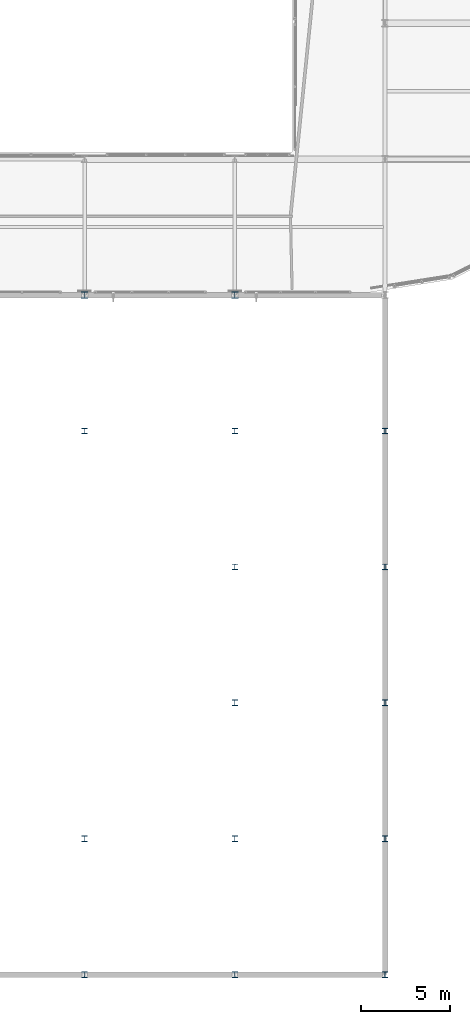
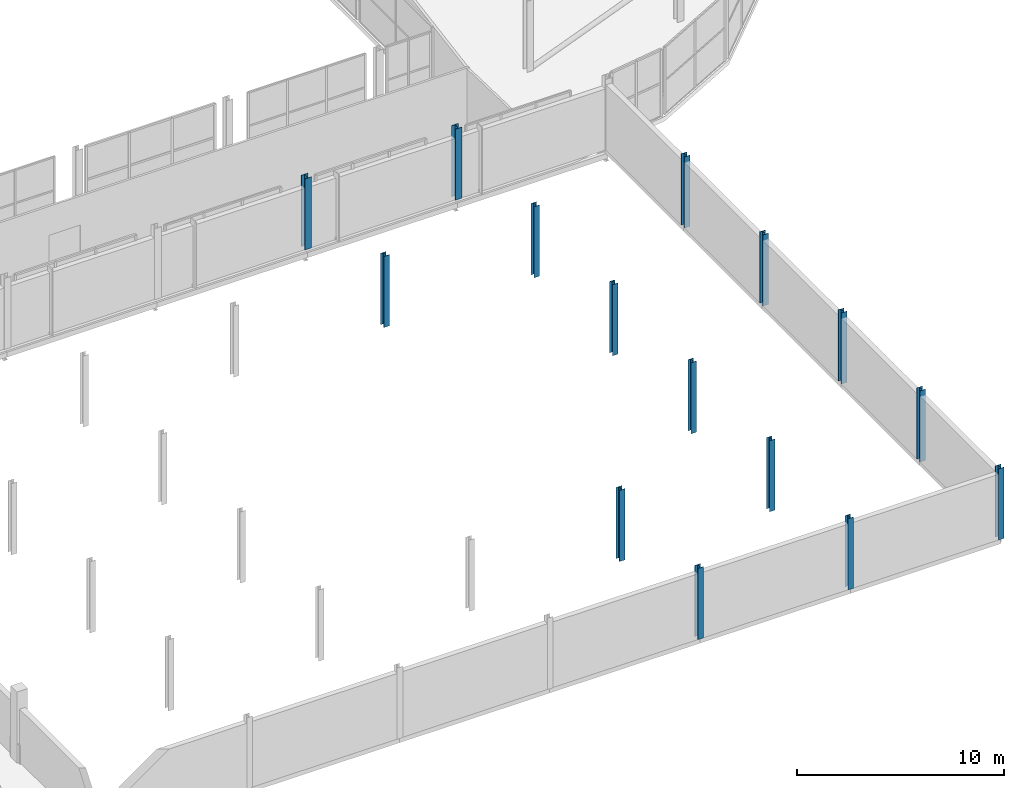
# One storey, part 11 of 217: 15 columns.
"""IFC4 building model written with IfcOpenShell, lengths in metres."""

from ifc_helpers import new_model, si_unit, direction, frame, origin, origin_2d, place, context, subcontext, project, spatial, i_section, extrude, material, material_profile, profile_set, type_object, element, save


model = new_model("IFC4")

# Units and contexts
model_context = context("Model", 3, precision=1e-05, world=origin(), true_north=direction((0.0, 1.0)))
body_context = subcontext(model_context, "Body", "Model", "MODEL_VIEW")
ifc_project = project(units=[si_unit("LENGTHUNIT", "METRE"), si_unit("AREAUNIT", "SQUARE_METRE"), si_unit("VOLUMEUNIT", "CUBIC_METRE"), si_unit("PLANEANGLEUNIT", "RADIAN"), si_unit("MASSUNIT", "GRAM", prefix="KILO")], contexts=[model_context])

# Site, building, storey
site_placement = place(None, origin())
site = spatial("IfcSite", under=ifc_project, at=site_placement, CompositionType="ELEMENT")
building_placement = place(site_placement, origin())
building = spatial("IfcBuilding", under=site, at=building_placement, Name="Zuvorla Pavilion Media Centre", CompositionType="ELEMENT")
storey_placement = place(building_placement, frame((0.0, 0.0, 9.60009765625)))
storey = spatial("IfcBuildingStorey", under=building, at=storey_placement, Name="L02", CompositionType="ELEMENT", Elevation=9.60009765625)

# Columns
ifc_material = material(Name="Steel S355", Category="steel")
ifc_material_profile_1 = material_profile(ifc_material, i_section(OverallWidth=0.30908203125, OverallDepth=0.320556640625, WebThickness=0.013916015625, FlangeThickness=0.021728515625, FilletRadius=0.01513671875, at=origin_2d()), Name="UC 305x305x137")
ifc_profile_set_1 = profile_set([ifc_material_profile_1], Name="Steel S355")
column_type_1 = type_object("IfcColumnType", Name="COL-UC305", PredefinedType="COLUMN", material=ifc_profile_set_1)
for number, where, z_axis, x_axis, name in (
    (1, (142.39990234375, 6.0, 0.0), (0.0, 0.0, 1.0), (1.0, 0.0, 0.0), "L02 column C10 83"),
    (2, (150.800048828125, 6.0, 0.0), (0.0, 0.0, 1.0), (1.0, 0.0, 0.0), "L02 column C10 88"),
    (3, (159.199951171875, 6.0, 0.0), (0.0, 0.0, 1.0), (1.0, 0.0, 0.0), "L02 column C10 93"),
    (4, (142.39990234375, 13.60009765625, 0.0), (0.0, 0.0, 1.0), (1.0, 0.0, 0.0), "L02 column C10 181"),
    (5, (150.800048828125, 13.60009765625, 0.0), (0.0, 0.0, 1.0), (1.0, 0.0, 0.0), "L02 column C10 186"),
    (6, (159.199951171875, 13.60009765625, 0.0), (0.0, 0.0, 1.0), (1.0, 0.0, 0.0), "L02 column C10 191"),
    (7, (150.800048828125, 21.199951171875, 0.0), (0.0, 0.0, 1.0), (1.0, 0.0, 0.0), "L02 column C10 277"),
    (8, (159.199951171875, 21.199951171875, 0.0), (0.0, 0.0, 1.0), (1.0, 0.0, 0.0), "L02 column C10 282"),
    (9, (150.800048828125, 28.800048828125, 0.0), (0.0, 0.0, 1.0), (1.0, 0.0, 0.0), "L02 column C10 372"),
    (10, (159.199951171875, 28.800048828125, 0.0), (0.0, 0.0, 1.0), (1.0, 0.0, 0.0), "L02 column C10 377"),
    (11, (142.39990234375, 36.39990234375, 0.0), (0.0, 0.0, 1.0), (1.0, 0.0, 0.0), "L02 column C10 467"),
    (12, (150.800048828125, 36.39990234375, 0.0), (0.0, 0.0, 1.0), (1.0, 0.0, 0.0), "L02 column C10 472"),
    (13, (159.199951171875, 36.39990234375, 0.0), (0.0, 0.0, 1.0), (1.0, 0.0, 0.0), "L02 column C10 477"),
):
    element("IfcColumn", number, at=place(storey_placement, frame(where, z_axis=z_axis, x_axis=x_axis)), inside=storey, type_object=column_type_1, Name=name, PredefinedType="COLUMN", context=body_context, shape_type="SweptSolid", body=[
        extrude(i_section(OverallWidth=0.30908203125, OverallDepth=0.320556640625, WebThickness=0.013916015625, FlangeThickness=0.021728515625, FilletRadius=0.01513671875, at=origin_2d()), origin(), (0.0, 0.0, 1.0), 4.199951171875),
    ])
ifc_material_profile_2 = material_profile(ifc_material, i_section(OverallWidth=0.37255859375, OverallDepth=0.3681640625, WebThickness=0.014404296875, FlangeThickness=0.023681640625, FilletRadius=0.01513671875, at=origin_2d()), Name="UC 356x368x177")
ifc_profile_set_2 = profile_set([ifc_material_profile_2], Name="Steel S355")
column_type_2 = type_object("IfcColumnType", Name="COL-UC356", PredefinedType="COLUMN", material=ifc_profile_set_2)
for number, where, z_axis, x_axis, name in (
    (14, (142.39990234375, 44.0, 0.0), (0.0, 0.0, 1.0), (1.0, 0.0, 0.0), "L02 column C09 561"),
    (15, (150.800048828125, 44.0, 0.0), (0.0, 0.0, 1.0), (1.0, 0.0, 0.0), "L02 column C09 566"),
):
    element("IfcColumn", number, at=place(storey_placement, frame(where, z_axis=z_axis, x_axis=x_axis)), inside=storey, type_object=column_type_2, Name=name, PredefinedType="COLUMN", context=body_context, shape_type="SweptSolid", body=[
        extrude(i_section(OverallWidth=0.37255859375, OverallDepth=0.3681640625, WebThickness=0.014404296875, FlangeThickness=0.023681640625, FilletRadius=0.01513671875, at=origin_2d()), origin(), (0.0, 0.0, 1.0), 4.199951171875),
    ])

save(model, "model.ifc")
